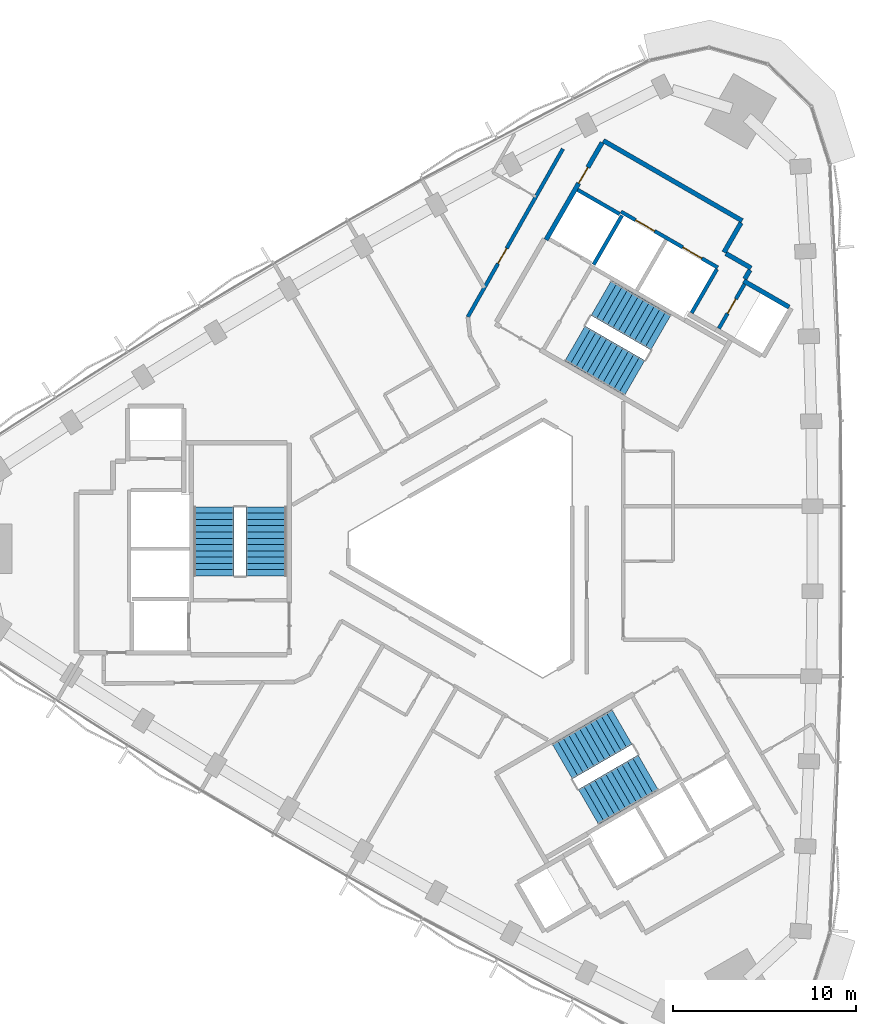
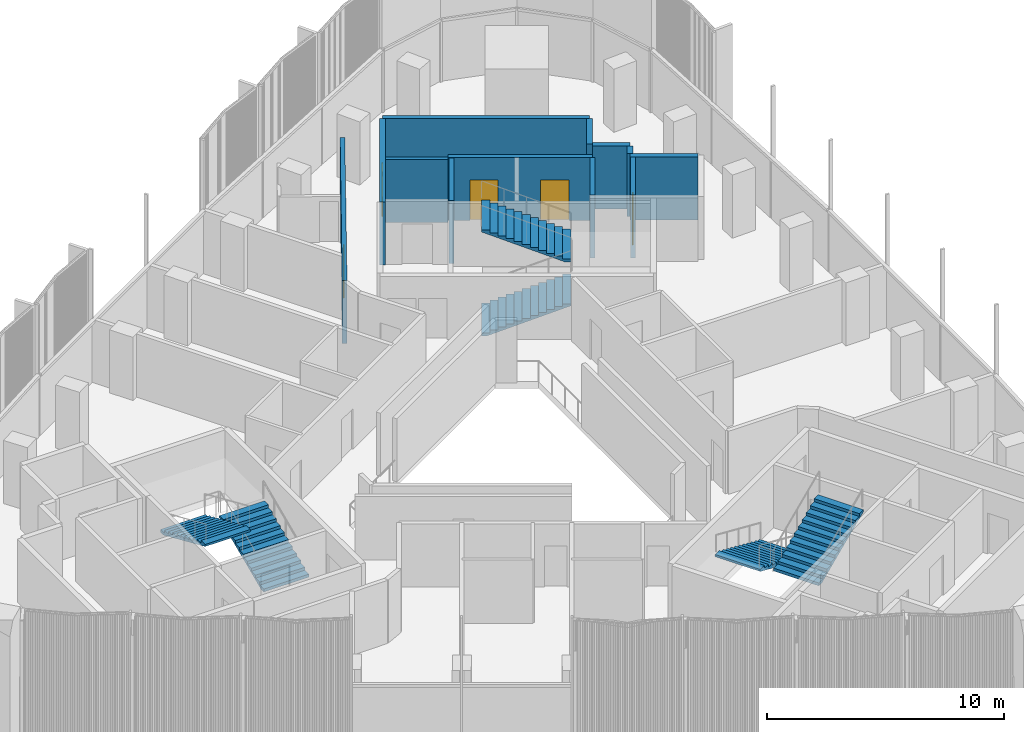
# One storey, part 10 of 13: 12 walls, 6 stair flights, 5 doors, 5 openings, 3 elements without a shape of their own.
"""IFC4 building model written with IfcOpenShell, lengths in metres."""

from ifc_helpers import new_model, si_unit, direction, frame, frame_2d, origin, place, context, subcontext, project, spatial, polyline, rectangle, outline, extrude, material, layer, layer_set, type_object, element, fill, aggregate, save


model = new_model("IFC4")

# Units and contexts
model_context = context("Model", 3, precision=1e-05, world=origin(), true_north=direction((0.0, 1.0)))
body_context = subcontext(model_context, "Body", "Model", "MODEL_VIEW")
ifc_project = project(units=[si_unit("LENGTHUNIT", "METRE"), si_unit("AREAUNIT", "SQUARE_METRE"), si_unit("VOLUMEUNIT", "CUBIC_METRE"), si_unit("PLANEANGLEUNIT", "RADIAN"), si_unit("MASSUNIT", "GRAM", prefix="KILO")], contexts=[model_context])

# Site, building, storey
site_placement = place(None, origin())
site = spatial("IfcSite", under=ifc_project, at=site_placement, CompositionType="ELEMENT")
building_placement = place(site_placement, origin())
building = spatial("IfcBuilding", under=site, at=building_placement, Name="Tamra Quay Hotel Tower", CompositionType="ELEMENT")
storey_placement = place(building_placement, frame((0.0, 0.0, 204.39990234375)))
storey = spatial("IfcBuildingStorey", under=building, at=storey_placement, Name="L51", CompositionType="ELEMENT", Elevation=204.39990234375)

# Wall, openings, doors
ifc_material_1 = material(Name="Concrete M70", Category="concrete")
ifc_layer_1 = layer(ifc_material_1, 0.199951171875)
ifc_layer_set_1 = layer_set([ifc_layer_1], Name="Concrete M70 core wall 200")
wall_type_1 = type_object("IfcWallType", Name="Concrete M70 core wall 200", PredefinedType="SHEAR", material=ifc_layer_set_1)
wall_1_placement = place(storey_placement, frame((12.552490234375, 15.341552734375, 0.0), z_axis=(0.0, 0.0, 1.0), x_axis=(-0.866030299012, 0.499991521122, 0.0)))
wall_1 = element("IfcWall", 1, at=wall_1_placement, inside=storey, type_object=wall_type_1, Name="CW2", PredefinedType="SHEAR", context=body_context, shape_type="SweptSolid", body=[
    extrude(rectangle(XDim=6.10009765625, YDim=0.199951171875, at=frame_2d((3.050048828125, 0.0))), origin(), (0.0, 0.0, 1.0), 3.25),
])
opening_1_placement = place(wall_1_placement, frame((1.0, 0.0, 0.0)))
opening_1 = element("IfcOpeningElement", 2, at=opening_1_placement, cuts=wall_1, Name="Opening LD", PredefinedType="OPENING", context=body_context, shape_type="SweptSolid", body=[
    extrude(rectangle(XDim=1.199951171875, YDim=2.10009765625, at=frame_2d((0.60009765625, 1.050048828125))), frame((0.0, 0.10986328125, 0.0), z_axis=(0.0, -1.0, 0.0), x_axis=(1.0, 0.0, 0.0)), (0.0, 0.0, 1.0), 0.219970703125),
])
opening_2_placement = place(wall_1_placement, frame((3.982177734375, 0.0, 0.0)))
opening_2 = element("IfcOpeningElement", 3, at=opening_2_placement, cuts=wall_1, Name="Opening LD", PredefinedType="OPENING", context=body_context, shape_type="SweptSolid", body=[
    extrude(rectangle(XDim=1.199951171875, YDim=2.10009765625, at=frame_2d((0.60009765625, 1.050048828125))), frame((0.0, 0.10986328125, 0.0), z_axis=(0.0, -1.0, 0.0), x_axis=(1.0, 0.0, 0.0)), (0.0, 0.0, 1.0), 0.219970703125),
])
ifc_material_2 = material(Name="Landing door LD 1200 double door sliding")
door_type_1 = type_object("IfcDoorType", Name="Landing door LD 1200 double door sliding", OperationType="DOUBLE_DOOR_SLIDING", PredefinedType="DOOR", material=ifc_material_2)
door_1_placement = place(opening_1_placement, origin())
door_1 = element("IfcDoor", 4, at=door_1_placement, inside=storey, type_object=door_type_1, Name="LD", OperationType="DOUBLE_DOOR_SLIDING", OverallHeight=2.10009765625, OverallWidth=1.199951171875, PredefinedType="DOOR", context=body_context, shape_type="SweptSolid", body=[
    extrude(rectangle(XDim=1.199951171875, YDim=2.10009765625, at=frame_2d((0.60009765625, 1.050048828125))), frame((0.0, 0.02490234375, 0.0), z_axis=(0.0, -1.0, 0.0), x_axis=(1.0, 0.0, 0.0)), (0.0, 0.0, 1.0), 0.050048828125),
])
fill(opening_1, door_1)
door_2_placement = place(opening_2_placement, origin())
door_2 = element("IfcDoor", 5, at=door_2_placement, inside=storey, type_object=door_type_1, Name="LD", OperationType="DOUBLE_DOOR_SLIDING", OverallHeight=2.10009765625, OverallWidth=1.199951171875, PredefinedType="DOOR", context=body_context, shape_type="SweptSolid", body=[
    extrude(rectangle(XDim=1.199951171875, YDim=2.10009765625, at=frame_2d((0.60009765625, 1.050048828125))), frame((0.0, 0.02490234375, 0.0), z_axis=(0.0, -1.0, 0.0), x_axis=(1.0, 0.0, 0.0)), (0.0, 0.0, 1.0), 0.050048828125),
])
fill(opening_2, door_2)

# Wall, opening, door
wall_2_placement = place(storey_placement, frame((14.0078125, 14.442138671875, 0.0), z_axis=(0.0, 0.0, 1.0), x_axis=(-0.499986818241, -0.866033014143, 0.0)))
wall_2 = element("IfcWall", 6, at=wall_2_placement, inside=storey, type_object=wall_type_1, Name="CW2", PredefinedType="SHEAR", context=body_context, shape_type="SweptSolid", body=[
    extrude(rectangle(XDim=2.7978515625, YDim=0.199951171875, at=frame_2d((1.39892578125, 0.0))), origin(), (0.0, 0.0, 1.0), 3.25),
])
opening_3_placement = place(wall_2_placement, frame((0.948974609375, 0.0, 0.0)))
opening_3 = element("IfcOpeningElement", 7, at=opening_3_placement, cuts=wall_2, Name="Opening D1", PredefinedType="OPENING", context=body_context, shape_type="SweptSolid", body=[
    extrude(rectangle(XDim=0.89990234375, YDim=2.10009765625, at=frame_2d((0.449951171875, 1.050048828125))), frame((0.0, 0.10986328125, 0.0), z_axis=(0.0, -1.0, 0.0), x_axis=(1.0, 0.0, 0.0)), (0.0, 0.0, 1.0), 0.219970703125),
])
ifc_material_3 = material(Name="Core door D1 900x2100 RH")
door_type_2 = type_object("IfcDoorType", Name="Core door D1 900x2100 RH", OperationType="NOTDEFINED", PredefinedType="DOOR", material=ifc_material_3)
door_3_placement = place(opening_3_placement, origin())
door_3 = element("IfcDoor", 8, at=door_3_placement, inside=storey, type_object=door_type_2, Name="D1", OperationType="SINGLE_SWING_RIGHT", OverallHeight=2.10009765625, OverallWidth=0.89990234375, PredefinedType="DOOR", context=body_context, shape_type="SweptSolid", body=[
    extrude(rectangle(XDim=0.89990234375, YDim=2.10009765625, at=frame_2d((0.449951171875, 1.050048828125))), frame((0.0, 0.02490234375, 0.0), z_axis=(0.0, -1.0, 0.0), x_axis=(1.0, 0.0, 0.0)), (0.0, 0.0, 1.0), 0.050048828125),
])
fill(opening_3, door_3)

# Walls
wall_3_placement = place(storey_placement, frame((12.50244140625, 15.2548828125, 0.0), z_axis=(0.0, 0.0, 1.0), x_axis=(-0.499965018551, -0.866045599391, 0.0)))
element("IfcWall", 9, at=wall_3_placement, inside=storey, type_object=wall_type_1, Name="CW2", PredefinedType="SHEAR", context=body_context, shape_type="SweptSolid", body=[
    extrude(rectangle(XDim=2.759033203125, YDim=0.199951171875, at=frame_2d((1.37939453125, 0.0))), origin(), (0.0, 0.0, 1.0), 3.25),
])
wall_4_placement = place(storey_placement, frame((7.324462890625, 18.1865234375, 0.0), z_axis=(0.0, 0.0, 1.0), x_axis=(-0.499967891604, -0.866043940782, 0.0)))
element("IfcWall", 10, at=wall_4_placement, inside=storey, type_object=wall_type_1, Name="CW2", PredefinedType="SHEAR", context=body_context, shape_type="SweptSolid", body=[
    extrude(rectangle(XDim=3.099853515625, YDim=0.199951171875, at=frame_2d((1.5498046875, 0.0))), origin(), (0.0, 0.0, 1.0), 3.25),
])
wall_5_placement = place(storey_placement, frame((7.1962890625, 18.260498046875, 0.0), z_axis=(0.0, 0.0, 1.0), x_axis=(-0.866018407898, 0.500012117035, 0.0)))
element("IfcWall", 11, at=wall_5_placement, inside=storey, type_object=wall_type_1, Name="CW2", PredefinedType="SHEAR", context=body_context, shape_type="SweptSolid", body=[
    extrude(rectangle(XDim=2.65087890625, YDim=0.199951171875, at=frame_2d((1.325439453125, 0.0))), origin(), (0.0, 0.0, 1.0), 3.25),
])
ifc_layer_2 = layer(ifc_material_1, 0.25)
ifc_layer_set_2 = layer_set([ifc_layer_2], Name="Concrete M70 core wall 250")
wall_type_2 = type_object("IfcWallType", Name="Concrete M70 core wall 250", PredefinedType="SHEAR", material=ifc_layer_set_2)
wall_6_placement = place(storey_placement, frame((6.303955078125, 22.268798828125, 0.0), z_axis=(0.0, 0.0, 1.0), x_axis=(0.866022959057, -0.500004234368, 0.0)))
element("IfcWall", 12, at=wall_6_placement, inside=storey, type_object=wall_type_2, Name="CW1", PredefinedType="SHEAR", context=body_context, shape_type="SweptSolid", body=[
    extrude(rectangle(XDim=8.75, YDim=0.25, at=frame_2d((4.375, 0.0))), origin(), (0.0, 0.0, 1.0), 3.25),
])

# Wall, opening, door
wall_7_placement = place(storey_placement, frame((3.178955078125, 16.856201171875, 0.0), z_axis=(0.0, 0.0, 1.0), x_axis=(0.500001955336, 0.866024274868, 0.0)))
wall_7 = element("IfcWall", 13, at=wall_7_placement, inside=storey, type_object=wall_type_2, Name="CW1", PredefinedType="SHEAR", context=body_context, shape_type="SweptSolid", body=[
    extrude(rectangle(XDim=6.12451171875, YDim=0.25, at=frame_2d((3.062255859375, 0.0))), origin(), (0.0, 0.0, 1.0), 3.25),
])
opening_4_placement = place(wall_7_placement, frame((3.562744140625, 0.0, 0.0)))
opening_4 = element("IfcOpeningElement", 14, at=opening_4_placement, cuts=wall_7, Name="Opening FD3", PredefinedType="OPENING", context=body_context, shape_type="SweptSolid", body=[
    extrude(rectangle(XDim=1.0, YDim=2.10009765625, at=frame_2d((0.5, 1.050048828125))), frame((0.0, 0.135009765625, 0.0), z_axis=(0.0, -1.0, 0.0), x_axis=(1.0, 0.0, 0.0)), (0.0, 0.0, 1.0), 0.27001953125),
])
ifc_material_4 = material(Name="Core door FD3 1000x2100 LH")
door_type_3 = type_object("IfcDoorType", Name="Core door FD3 1000x2100 LH", OperationType="NOTDEFINED", PredefinedType="DOOR", material=ifc_material_4)
door_4_placement = place(opening_4_placement, origin())
door_4 = element("IfcDoor", 15, at=door_4_placement, inside=storey, type_object=door_type_3, Name="FD3", OperationType="SINGLE_SWING_LEFT", OverallHeight=2.10009765625, OverallWidth=1.0, PredefinedType="DOOR", context=body_context, shape_type="SweptSolid", body=[
    extrude(rectangle(XDim=1.0, YDim=2.10009765625, at=frame_2d((0.5, 1.050048828125))), frame((0.0, 0.02490234375, 0.0), z_axis=(0.0, -1.0, 0.0), x_axis=(1.0, 0.0, 0.0)), (0.0, 0.0, 1.0), 0.050048828125),
])
fill(opening_4, door_4)

# Walls
wall_8_placement = place(storey_placement, frame((13.962646484375, 14.61376953125, 0.0), z_axis=(0.0, 0.0, 1.0), x_axis=(0.866042235819, -0.499970844928, 0.0)))
element("IfcWall", 16, at=wall_8_placement, inside=storey, type_object=wall_type_2, Name="CW1", PredefinedType="SHEAR", context=body_context, shape_type="SweptSolid", body=[
    extrude(rectangle(XDim=2.864501953125, YDim=0.25, at=frame_2d((1.43212890625, 0.0))), origin(), (0.0, 0.0, 1.0), 3.25),
])
wall_9_placement = place(storey_placement, frame((13.819091796875, 17.78515625, 0.0), z_axis=(0.0, 0.0, 1.0), x_axis=(-0.500039802285, -0.866002422705, 0.0)))
element("IfcWall", 17, at=wall_9_placement, inside=storey, type_object=wall_type_2, Name="CW1", PredefinedType="SHEAR", context=body_context, shape_type="SweptSolid", body=[
    extrude(rectangle(XDim=1.864501953125, YDim=0.25, at=frame_2d((0.93212890625, 0.0))), origin(), (0.0, 0.0, 1.0), 3.25),
])
wall_10_placement = place(storey_placement, frame((12.995361328125, 16.107666015625, 0.0), z_axis=(0.0, 0.0, 1.0), x_axis=(0.866044474677, -0.49996696679, 0.0)))
element("IfcWall", 18, at=wall_10_placement, inside=storey, type_object=wall_type_2, Name="CW1", PredefinedType="SHEAR", context=body_context, shape_type="SweptSolid", body=[
    extrude(rectangle(XDim=1.58447265625, YDim=0.25, at=frame_2d((0.792236328125, 0.0))), origin(), (0.0, 0.0, 1.0), 3.25),
])
wall_11_placement = place(storey_placement, frame((14.304931640625, 15.206787109375, 0.0), z_axis=(0.0, 0.0, 1.0), x_axis=(-0.499848422343, -0.866112899501, 0.0)))
element("IfcWall", 19, at=wall_11_placement, inside=storey, type_object=wall_type_2, Name="CW1", PredefinedType="SHEAR", context=body_context, shape_type="SweptSolid", body=[
    extrude(rectangle(XDim=0.559326171875, YDim=0.25, at=frame_2d((0.27978515625, 0.0))), origin(), (0.0, 0.0, 1.0), 3.25),
])

# Wall, opening, door
ifc_material_5 = material(Name="Partition corridor wall")
ifc_layer_3 = layer(ifc_material_5, 0.199951171875)
ifc_layer_set_3 = layer_set([ifc_layer_3], Name="Partition corridor wall")
wall_type_3 = type_object("IfcWallType", Name="Partition corridor wall", PredefinedType="PARTITIONING", material=ifc_layer_set_3)
wall_12_placement = place(storey_placement, frame((-1.085693359375, 12.650390625, 0.0), z_axis=(0.0, 0.0, 1.0), x_axis=(0.492552173528, 0.87028291742, 0.0)))
wall_12 = element("IfcWall", 20, at=wall_12_placement, inside=storey, type_object=wall_type_3, Name="W-C", PredefinedType="PARTITIONING", context=body_context, shape_type="SweptSolid", body=[
    extrude(rectangle(XDim=10.531494140625, YDim=0.199951171875, at=frame_2d((5.265625, 0.0))), origin(), (0.0, 0.0, 1.0), 3.25),
])
opening_5_placement = place(wall_12_placement, frame((3.341796875, 0.0, 0.0)))
opening_5 = element("IfcOpeningElement", 21, at=opening_5_placement, cuts=wall_12, Name="Opening L51-D001", PredefinedType="OPENING", context=body_context, shape_type="SweptSolid", body=[
    extrude(rectangle(XDim=0.949951171875, YDim=2.10009765625, at=frame_2d((0.47509765625, 1.050048828125))), frame((0.0, 0.10986328125, 0.0), z_axis=(0.0, -1.0, 0.0), x_axis=(1.0, 0.0, 0.0)), (0.0, 0.0, 1.0), 0.219970703125),
])
ifc_material_6 = material(Name="Door guest room 950x2100")
door_type_4 = type_object("IfcDoorType", Name="Door guest room 950x2100", OperationType="NOTDEFINED", PredefinedType="DOOR", material=ifc_material_6)
door_5_placement = place(opening_5_placement, origin())
door_5 = element("IfcDoor", 22, at=door_5_placement, inside=storey, type_object=door_type_4, Name="L51-D001", OperationType="SINGLE_SWING_LEFT", OverallHeight=2.10009765625, OverallWidth=0.949951171875, PredefinedType="DOOR", context=body_context, shape_type="SweptSolid", body=[
    extrude(rectangle(XDim=0.949951171875, YDim=2.10009765625, at=frame_2d((0.47509765625, 1.050048828125))), frame((0.0, 0.02490234375, 0.0), z_axis=(0.0, -1.0, 0.0), x_axis=(1.0, 0.0, 0.0)), (0.0, 0.0, 1.0), 0.050048828125),
])
fill(opening_5, door_5)

# Stair, stair flights
ifc_material_7 = material(Name="Exit stair 2200 24 risers 150.0 going 342")
stair_type = type_object("IfcStairType", Name="Exit stair 2200 24 risers 150.0 going 342", PredefinedType="HALF_TURN_STAIR", material=ifc_material_7)
stair_1_placement = place(storey_placement, origin())
stair_1 = element("IfcStair", 23, at=stair_1_placement, inside=storey, type_object=stair_type, Name="L51 Exit stair ST3", PredefinedType="HALF_TURN_STAIR")
ifc_material_8 = material(Name="Exit stair flight 2200 12 risers 150.0")
stair_flight_type = type_object("IfcStairFlightType", Name="Exit stair flight 2200 12 risers 150.0", PredefinedType="STRAIGHT", material=ifc_material_8)
stair_flight_1_placement = place(storey_placement, frame((-12.082275390625, -1.47998046875, 0.0), z_axis=(0.0, 0.0, 1.0), x_axis=(0.0, 1.0, 0.0)))
stair_flight_1 = element("IfcStairFlight", 24, at=stair_flight_1_placement, type_object=stair_flight_type, Name="ST3 flight 1", NumberOfRisers=12, NumberOfTreads=11, PredefinedType="STRAIGHT", RiserHeight=0.15, TreadLength=0.342, context=body_context, shape_type="SweptSolid", body=[
    extrude(outline(polyline([(0.0, 0.0), (0.0, 0.14990234375), (0.342041015625, 0.14990234375), (0.342041015625, 0.300048828125), (0.68408203125, 0.300048828125), (0.68408203125, 0.449951171875), (1.02587890625, 0.449951171875), (1.02587890625, 0.60009765625), (1.367919921875, 0.60009765625), (1.367919921875, 0.75), (1.7099609375, 0.75), (1.7099609375, 0.89990234375), (2.052001953125, 0.89990234375), (2.052001953125, 1.050048828125), (2.39404296875, 1.050048828125), (2.39404296875, 1.199951171875), (2.736083984375, 1.199951171875), (2.736083984375, 1.35009765625), (3.077880859375, 1.35009765625), (3.077880859375, 1.5), (3.419921875, 1.5), (3.419921875, 1.64990234375), (3.761962890625, 1.64990234375), (3.761962890625, 1.800048828125), (3.761962890625, 1.540771484375), (0.249267578125, 0.0), (0.0, 0.0)])), frame((0.0, 1.10009765625, 0.0), z_axis=(0.0, -1.0, 0.0), x_axis=(1.0, 0.0, 0.0)), (0.0, 0.0, 1.0), 2.199951171875),
])
stair_flight_2_placement = place(storey_placement, frame((-14.94140625, 2.281982421875, 1.800048828125), z_axis=(0.0, 0.0, 1.0), x_axis=(0.0, -1.0, 0.0)))
stair_flight_2 = element("IfcStairFlight", 25, at=stair_flight_2_placement, type_object=stair_flight_type, Name="ST3 flight 2", NumberOfRisers=12, NumberOfTreads=11, PredefinedType="STRAIGHT", RiserHeight=0.15, TreadLength=0.342, context=body_context, shape_type="SweptSolid", body=[
    extrude(outline(polyline([(0.0, 0.0), (0.0, 0.14990234375), (0.342041015625, 0.14990234375), (0.342041015625, 0.300048828125), (0.68408203125, 0.300048828125), (0.68408203125, 0.449951171875), (1.02587890625, 0.449951171875), (1.02587890625, 0.60009765625), (1.367919921875, 0.60009765625), (1.367919921875, 0.75), (1.7099609375, 0.75), (1.7099609375, 0.89990234375), (2.052001953125, 0.89990234375), (2.052001953125, 1.050048828125), (2.39404296875, 1.050048828125), (2.39404296875, 1.199951171875), (2.736083984375, 1.199951171875), (2.736083984375, 1.35009765625), (3.077880859375, 1.35009765625), (3.077880859375, 1.5), (3.419921875, 1.5), (3.419921875, 1.64990234375), (3.761962890625, 1.64990234375), (3.761962890625, 1.800048828125), (3.761962890625, 1.540771484375), (0.249267578125, 0.0), (0.0, 0.0)])), frame((0.0, 1.10009765625, 0.0), z_axis=(0.0, -1.0, 0.0), x_axis=(1.0, 0.0, 0.0)), (0.0, 0.0, 1.0), 2.199951171875),
])
aggregate(stair_1, [stair_flight_1, stair_flight_2])

stair_2_placement = place(storey_placement, origin())
stair_2 = element("IfcStair", 26, at=stair_2_placement, inside=storey, type_object=stair_type, Name="L51 Exit stair ST1", PredefinedType="HALF_TURN_STAIR")
stair_flight_3_placement = place(storey_placement, frame((4.75927734375, 11.20361328125, 0.0), z_axis=(0.0, 0.0, 1.0), x_axis=(0.866025403784, -0.5, 0.0)))
stair_flight_3 = element("IfcStairFlight", 27, at=stair_flight_3_placement, type_object=stair_flight_type, Name="ST1 flight 1", NumberOfRisers=12, NumberOfTreads=11, PredefinedType="STRAIGHT", RiserHeight=0.15, TreadLength=0.342, context=body_context, shape_type="SweptSolid", body=[
    extrude(outline(polyline([(0.0, 0.0), (0.0, 0.14990234375), (0.342041015625, 0.14990234375), (0.342041015625, 0.300048828125), (0.68408203125, 0.300048828125), (0.68408203125, 0.449951171875), (1.02587890625, 0.449951171875), (1.02587890625, 0.60009765625), (1.367919921875, 0.60009765625), (1.367919921875, 0.75), (1.7099609375, 0.75), (1.7099609375, 0.89990234375), (2.052001953125, 0.89990234375), (2.052001953125, 1.050048828125), (2.39404296875, 1.050048828125), (2.39404296875, 1.199951171875), (2.736083984375, 1.199951171875), (2.736083984375, 1.35009765625), (3.077880859375, 1.35009765625), (3.077880859375, 1.5), (3.419921875, 1.5), (3.419921875, 1.64990234375), (3.761962890625, 1.64990234375), (3.761962890625, 1.800048828125), (3.761962890625, 1.540771484375), (0.249267578125, 0.0), (0.0, 0.0)])), frame((0.0, 1.10009765625, 0.0), z_axis=(0.0, -1.0, 0.0), x_axis=(1.0, 0.0, 0.0)), (0.0, 0.0, 1.0), 2.199951171875),
])
stair_flight_4_placement = place(storey_placement, frame((9.44677734375, 11.798583984375, 1.800048828125), z_axis=(0.0, 0.0, 1.0), x_axis=(-0.866025403784, 0.5, 0.0)))
stair_flight_4 = element("IfcStairFlight", 28, at=stair_flight_4_placement, type_object=stair_flight_type, Name="ST1 flight 2", NumberOfRisers=12, NumberOfTreads=11, PredefinedType="STRAIGHT", RiserHeight=0.15, TreadLength=0.342, context=body_context, shape_type="SweptSolid", body=[
    extrude(outline(polyline([(0.0, 0.0), (0.0, 0.14990234375), (0.342041015625, 0.14990234375), (0.342041015625, 0.300048828125), (0.68408203125, 0.300048828125), (0.68408203125, 0.449951171875), (1.02587890625, 0.449951171875), (1.02587890625, 0.60009765625), (1.367919921875, 0.60009765625), (1.367919921875, 0.75), (1.7099609375, 0.75), (1.7099609375, 0.89990234375), (2.052001953125, 0.89990234375), (2.052001953125, 1.050048828125), (2.39404296875, 1.050048828125), (2.39404296875, 1.199951171875), (2.736083984375, 1.199951171875), (2.736083984375, 1.35009765625), (3.077880859375, 1.35009765625), (3.077880859375, 1.5), (3.419921875, 1.5), (3.419921875, 1.64990234375), (3.761962890625, 1.64990234375), (3.761962890625, 1.800048828125), (3.761962890625, 1.540771484375), (0.249267578125, 0.0), (0.0, 0.0)])), frame((0.0, 1.10009765625, 0.0), z_axis=(0.0, -1.0, 0.0), x_axis=(1.0, 0.0, 0.0)), (0.0, 0.0, 1.0), 2.199951171875),
])
aggregate(stair_2, [stair_flight_3, stair_flight_4])

stair_3_placement = place(storey_placement, origin())
stair_3 = element("IfcStair", 29, at=stair_3_placement, inside=storey, type_object=stair_type, Name="L51 Exit stair ST2", PredefinedType="HALF_TURN_STAIR")
stair_flight_5_placement = place(storey_placement, frame((7.322998046875, -9.7236328125, 0.0), z_axis=(0.0, 0.0, 1.0), x_axis=(-0.866025403784, -0.5, 0.0)))
stair_flight_5 = element("IfcStairFlight", 30, at=stair_flight_5_placement, type_object=stair_flight_type, Name="ST2 flight 1", NumberOfRisers=12, NumberOfTreads=11, PredefinedType="STRAIGHT", RiserHeight=0.15, TreadLength=0.342, context=body_context, shape_type="SweptSolid", body=[
    extrude(outline(polyline([(0.0, 0.0), (0.0, 0.14990234375), (0.342041015625, 0.14990234375), (0.342041015625, 0.300048828125), (0.68408203125, 0.300048828125), (0.68408203125, 0.449951171875), (1.02587890625, 0.449951171875), (1.02587890625, 0.60009765625), (1.367919921875, 0.60009765625), (1.367919921875, 0.75), (1.7099609375, 0.75), (1.7099609375, 0.89990234375), (2.052001953125, 0.89990234375), (2.052001953125, 1.050048828125), (2.39404296875, 1.050048828125), (2.39404296875, 1.199951171875), (2.736083984375, 1.199951171875), (2.736083984375, 1.35009765625), (3.077880859375, 1.35009765625), (3.077880859375, 1.5), (3.419921875, 1.5), (3.419921875, 1.64990234375), (3.761962890625, 1.64990234375), (3.761962890625, 1.800048828125), (3.761962890625, 1.540771484375), (0.249267578125, 0.0), (0.0, 0.0)])), frame((0.0, 1.10009765625, 0.0), z_axis=(0.0, -1.0, 0.0), x_axis=(1.0, 0.0, 0.0)), (0.0, 0.0, 1.0), 2.199951171875),
])
stair_flight_6_placement = place(storey_placement, frame((5.494384765625, -14.08056640625, 1.800048828125), z_axis=(0.0, 0.0, 1.0), x_axis=(0.866025403784, 0.5, 0.0)))
stair_flight_6 = element("IfcStairFlight", 31, at=stair_flight_6_placement, type_object=stair_flight_type, Name="ST2 flight 2", NumberOfRisers=12, NumberOfTreads=11, PredefinedType="STRAIGHT", RiserHeight=0.15, TreadLength=0.342, context=body_context, shape_type="SweptSolid", body=[
    extrude(outline(polyline([(0.0, 0.0), (0.0, 0.14990234375), (0.342041015625, 0.14990234375), (0.342041015625, 0.300048828125), (0.68408203125, 0.300048828125), (0.68408203125, 0.449951171875), (1.02587890625, 0.449951171875), (1.02587890625, 0.60009765625), (1.367919921875, 0.60009765625), (1.367919921875, 0.75), (1.7099609375, 0.75), (1.7099609375, 0.89990234375), (2.052001953125, 0.89990234375), (2.052001953125, 1.050048828125), (2.39404296875, 1.050048828125), (2.39404296875, 1.199951171875), (2.736083984375, 1.199951171875), (2.736083984375, 1.35009765625), (3.077880859375, 1.35009765625), (3.077880859375, 1.5), (3.419921875, 1.5), (3.419921875, 1.64990234375), (3.761962890625, 1.64990234375), (3.761962890625, 1.800048828125), (3.761962890625, 1.540771484375), (0.249267578125, 0.0), (0.0, 0.0)])), frame((0.0, 1.10009765625, 0.0), z_axis=(0.0, -1.0, 0.0), x_axis=(1.0, 0.0, 0.0)), (0.0, 0.0, 1.0), 2.199951171875),
])
aggregate(stair_3, [stair_flight_5, stair_flight_6])

save(model, "model.ifc")
